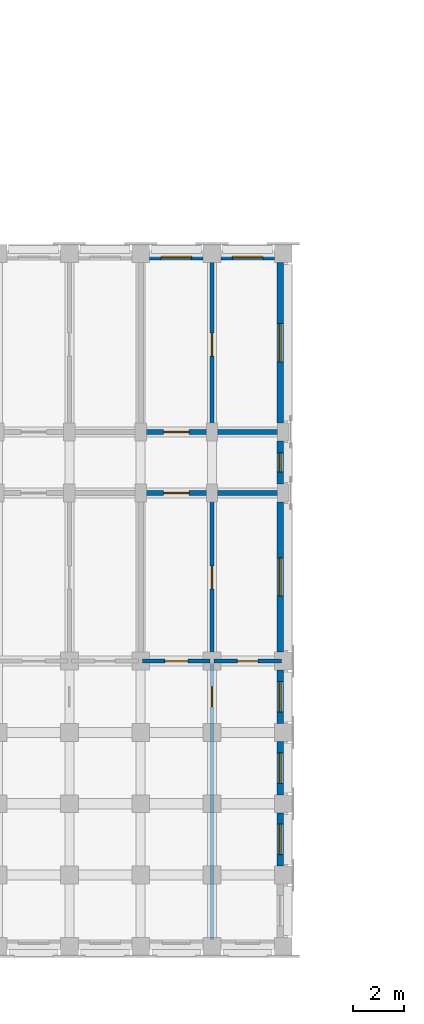
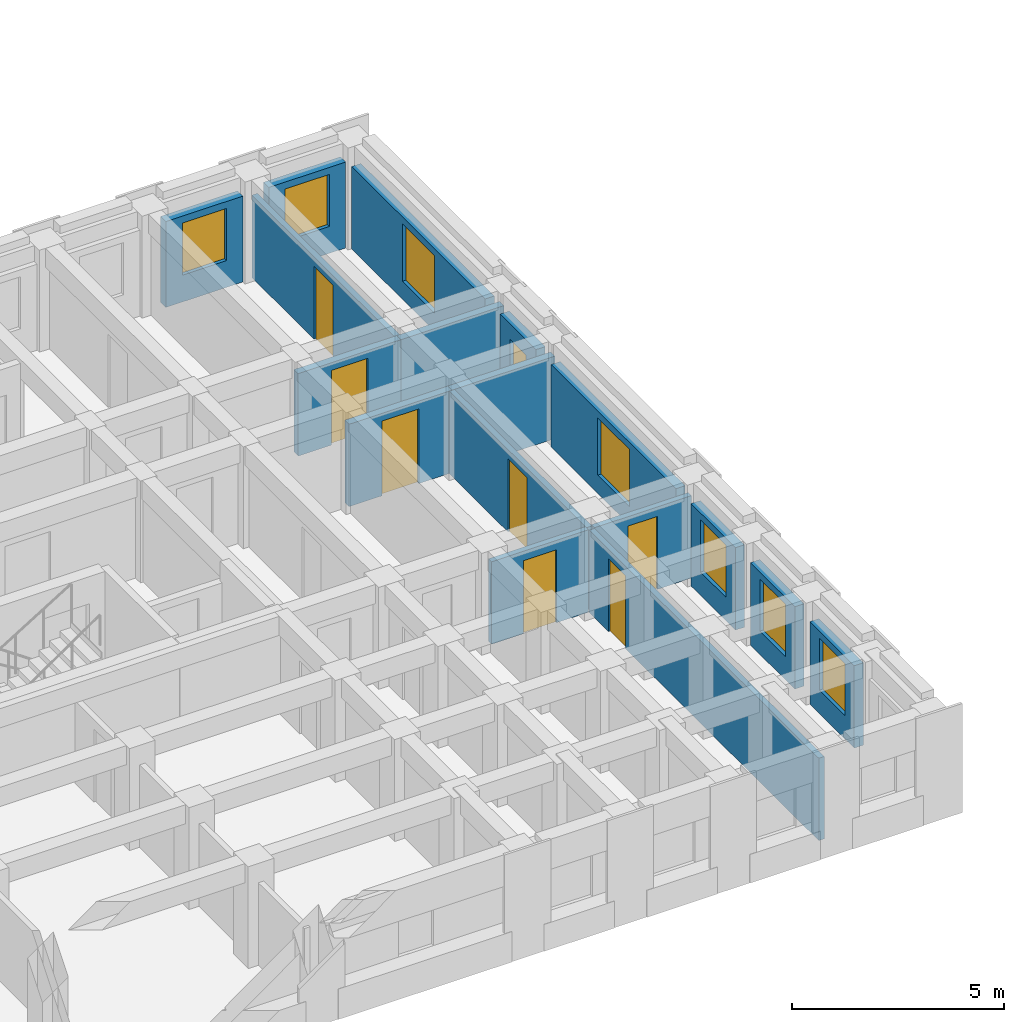
# One storey, part 22 of 57: 17 walls, 8 windows, 7 doors, 15 openings.
"""IFC4 building model written with IfcOpenShell, lengths in metres."""

from ifc_helpers import new_model, si_unit, direction, frame, frame_2d, origin, place, context, subcontext, project, spatial, rectangle, extrude, material, layer, layer_set, type_object, element, fill, save


model = new_model("IFC4")

# Units and contexts
model_context = context("Model", 3, precision=1e-05, world=origin(), true_north=direction((0.0, 1.0)))
body_context = subcontext(model_context, "Body", "Model", "MODEL_VIEW")
ifc_project = project(units=[si_unit("LENGTHUNIT", "METRE"), si_unit("AREAUNIT", "SQUARE_METRE"), si_unit("VOLUMEUNIT", "CUBIC_METRE"), si_unit("PLANEANGLEUNIT", "RADIAN"), si_unit("MASSUNIT", "GRAM", prefix="KILO")], contexts=[model_context])

# Site, building, storey
site_placement = place(None, origin())
site = spatial("IfcSite", under=ifc_project, at=site_placement, CompositionType="ELEMENT")
building_placement = place(site_placement, origin())
building = spatial("IfcBuilding", under=site, at=building_placement, Name="Kiranvali Square Residences", CompositionType="ELEMENT")
storey_placement = place(building_placement, frame((0.0, 0.0, 18.14990234375)))
storey = spatial("IfcBuildingStorey", under=building, at=storey_placement, Name="L05", CompositionType="ELEMENT", Elevation=18.14990234375)

# Wall, opening, door
ifc_material_1 = material(Name="Autoclaved aerated concrete blockwork masonry", Category="masonry")
ifc_layer_1 = layer(ifc_material_1, 0.199951171875)
ifc_layer_set_1 = layer_set([ifc_layer_1], Name="Autoclaved aerated concrete blockwork masonry")
wall_type_1 = type_object("IfcWallType", Name="WL-COR-200", PredefinedType="STANDARD", material=ifc_layer_set_1)
wall_1_placement = place(storey_placement, frame((65.0, 22.39990234375, 0.0), z_axis=(0.0, 0.0, 1.0), x_axis=(1.0, 0.0, 0.0)))
wall_1 = element("IfcWall", 1, at=wall_1_placement, inside=storey, type_object=wall_type_1, Name="L05 architectural wall WL-L05-C-A1CI-2", PredefinedType="STANDARD", context=body_context, shape_type="SweptSolid", body=[
    extrude(rectangle(XDim=2.800048828125, YDim=0.199951171875, at=frame_2d((1.39990234375, 0.0))), origin(), (0.0, 0.0, 1.0), 2.3720703125),
])
opening_1_placement = place(wall_1_placement, frame((0.89990234375, 0.0, 0.0)))
opening_1 = element("IfcOpeningElement", 2, at=opening_1_placement, cuts=wall_1, Name="Opening FD-APT-60", PredefinedType="OPENING", context=body_context, shape_type="SweptSolid", body=[
    extrude(rectangle(XDim=1.0, YDim=2.14990234375, at=frame_2d((0.5, 1.074951171875))), frame((0.0, 0.10986328125, 0.0), z_axis=(0.0, -1.0, 0.0), x_axis=(1.0, 0.0, 0.0)), (0.0, 0.0, 1.0), 0.219970703125),
])
ifc_material_2 = material(Name="Fire-rated acoustic hardwood and mineral-core door assembly", Category="wood")
door_type_1 = type_object("IfcDoorType", Name="DR-APT-1000", OperationType="NOTDEFINED", PredefinedType="DOOR", material=ifc_material_2)
door_1_placement = place(opening_1_placement, frame((1.0, 0.0, 0.0), z_axis=(0.0, 0.0, 1.0), x_axis=(-1.0, 0.0, 0.0)))
door_1 = element("IfcDoor", 3, at=door_1_placement, inside=storey, type_object=door_type_1, Name="L05 door DR-L05-2036 (DR-APT-1000)", OperationType="SINGLE_SWING_RIGHT", OverallHeight=2.14990234375, OverallWidth=1.0, PredefinedType="DOOR", context=body_context, shape_type="SweptSolid", body=[
    extrude(rectangle(XDim=1.0, YDim=2.14990234375, at=frame_2d((0.5, 1.074951171875))), frame((0.0, 0.02490234375, 0.0), z_axis=(0.0, -1.0, 0.0), x_axis=(1.0, 0.0, 0.0)), (0.0, 0.0, 1.0), 0.050048828125),
])
fill(opening_1, door_1)

wall_2_placement = place(storey_placement, frame((65.0, 20.0, 0.0), z_axis=(0.0, 0.0, 1.0), x_axis=(1.0, 0.0, 0.0)))
wall_2 = element("IfcWall", 4, at=wall_2_placement, inside=storey, type_object=wall_type_1, Name="L05 architectural wall WL-L05-C-A1CO-2", PredefinedType="STANDARD", context=body_context, shape_type="SweptSolid", body=[
    extrude(rectangle(XDim=2.800048828125, YDim=0.199951171875, at=frame_2d((1.39990234375, 0.0))), origin(), (0.0, 0.0, 1.0), 2.3720703125),
])
opening_2_placement = place(wall_2_placement, frame((0.89990234375, 0.0, 0.0)))
opening_2 = element("IfcOpeningElement", 5, at=opening_2_placement, cuts=wall_2, Name="Opening FD-APT-60", PredefinedType="OPENING", context=body_context, shape_type="SweptSolid", body=[
    extrude(rectangle(XDim=1.0, YDim=2.14990234375, at=frame_2d((0.5, 1.074951171875))), frame((0.0, 0.10986328125, 0.0), z_axis=(0.0, -1.0, 0.0), x_axis=(1.0, 0.0, 0.0)), (0.0, 0.0, 1.0), 0.219970703125),
])
door_2_placement = place(opening_2_placement, frame((1.0, 0.0, 0.0), z_axis=(0.0, 0.0, 1.0), x_axis=(-1.0, 0.0, 0.0)))
door_2 = element("IfcDoor", 6, at=door_2_placement, inside=storey, type_object=door_type_1, Name="L05 door DR-L05-2038 (DR-APT-1000)", OperationType="SINGLE_SWING_RIGHT", OverallHeight=2.14990234375, OverallWidth=1.0, PredefinedType="DOOR", context=body_context, shape_type="SweptSolid", body=[
    extrude(rectangle(XDim=1.0, YDim=2.14990234375, at=frame_2d((0.5, 1.074951171875))), frame((0.0, 0.02490234375, 0.0), z_axis=(0.0, -1.0, 0.0), x_axis=(1.0, 0.0, 0.0)), (0.0, 0.0, 1.0), 0.050048828125),
])
fill(opening_2, door_2)

# Walls
for number, where, z_axis, x_axis, name in (
    (7, (67.800048828125, 22.39990234375, 0.0), (0.0, 0.0, 1.0), (1.0, 0.0, 0.0), "L05 architectural wall WL-L05-C-A1CI-3"),
    (8, (67.800048828125, 20.0, 0.0), (0.0, 0.0, 1.0), (1.0, 0.0, 0.0), "L05 architectural wall WL-L05-C-A1CO-3"),
):
    element("IfcWall", number, at=place(storey_placement, frame(where, z_axis=z_axis, x_axis=x_axis)), inside=storey, type_object=wall_type_1, Name=name, PredefinedType="STANDARD", context=body_context, shape_type="SweptSolid", body=[
        extrude(rectangle(XDim=2.800048828125, YDim=0.199951171875, at=frame_2d((1.39990234375, 0.0))), origin(), (0.0, 0.0, 1.0), 2.3720703125),
    ])

# Wall, opening, window
ifc_material_3 = material(Name="Breathable lime-rendered clay brick masonry", Category="masonry")
ifc_layer_2 = layer(ifc_material_3, 0.25)
ifc_layer_set_2 = layer_set([ifc_layer_2], Name="Breathable lime-rendered clay brick masonry")
wall_type_2 = type_object("IfcWallType", Name="WL-EXT-250", PredefinedType="STANDARD", material=ifc_layer_set_2)
wall_3_placement = place(storey_placement, frame((65.353515625, 29.27490234375, 0.0), z_axis=(0.0, 0.0, 1.0), x_axis=(1.0, 0.0, 0.0)))
wall_3 = element("IfcWall", 9, at=wall_3_placement, inside=storey, type_object=wall_type_2, Name="L05 exterior wall C-L05-A1I-2", PredefinedType="STANDARD", context=body_context, shape_type="SweptSolid", body=[
    extrude(rectangle(XDim=2.093017578125, YDim=0.25, at=frame_2d((1.04638671875, 0.0))), origin(), (0.0, 0.0, 1.0), 2.47216796875),
])
opening_3_placement = place(wall_3_placement, frame((0.446533203125, 0.0, 0.77197265625)))
opening_3 = element("IfcOpeningElement", 10, at=opening_3_placement, cuts=wall_3, Name="Opening W-06", PredefinedType="OPENING", context=body_context, shape_type="SweptSolid", body=[
    extrude(rectangle(XDim=1.199951171875, YDim=1.5, at=frame_2d((0.60009765625, 0.75))), frame((0.0, 0.135009765625, 0.0), z_axis=(0.0, -1.0, 0.0), x_axis=(1.0, 0.0, 0.0)), (0.0, 0.0, 1.0), 0.27001953125),
])
ifc_material_4 = material(Name="Solar-control low-e double glazing", Category="glass")
window_type_1 = type_object("IfcWindowType", Name="WIN-RES-1200x1500", PartitioningType="SINGLE_PANEL", PredefinedType="WINDOW", material=ifc_material_4)
window_1_placement = place(opening_3_placement, origin())
window_1 = element("IfcWindow", 11, at=window_1_placement, inside=storey, type_object=window_type_1, Name="L05 recessed window C-L05-A1I-2", OverallHeight=1.5, OverallWidth=1.199951171875, PartitioningType="SINGLE_PANEL", PredefinedType="WINDOW", context=body_context, shape_type="SweptSolid", body=[
    extrude(rectangle(XDim=1.199951171875, YDim=1.5, at=frame_2d((0.60009765625, 0.75))), frame((0.0, 0.030029296875, 0.0), z_axis=(0.0, -1.0, 0.0), x_axis=(1.0, 0.0, 0.0)), (0.0, 0.0, 1.0), 0.06005859375),
])
fill(opening_3, window_1)

wall_4_placement = place(storey_placement, frame((68.153564453125, 29.27490234375, 0.0), z_axis=(0.0, 0.0, 1.0), x_axis=(1.0, 0.0, 0.0)))
wall_4 = element("IfcWall", 12, at=wall_4_placement, inside=storey, type_object=wall_type_2, Name="L05 exterior wall C-L05-A1I-3", PredefinedType="STANDARD", context=body_context, shape_type="SweptSolid", body=[
    extrude(rectangle(XDim=2.093017578125, YDim=0.25, at=frame_2d((1.04638671875, 0.0))), origin(), (0.0, 0.0, 1.0), 2.47216796875),
])
opening_4_placement = place(wall_4_placement, frame((0.446533203125, 0.0, 0.77197265625)))
opening_4 = element("IfcOpeningElement", 13, at=opening_4_placement, cuts=wall_4, Name="Opening W-06", PredefinedType="OPENING", context=body_context, shape_type="SweptSolid", body=[
    extrude(rectangle(XDim=1.199951171875, YDim=1.5, at=frame_2d((0.60009765625, 0.75))), frame((0.0, 0.135009765625, 0.0), z_axis=(0.0, -1.0, 0.0), x_axis=(1.0, 0.0, 0.0)), (0.0, 0.0, 1.0), 0.27001953125),
])
window_2_placement = place(opening_4_placement, origin())
window_2 = element("IfcWindow", 14, at=window_2_placement, inside=storey, type_object=window_type_1, Name="L05 recessed window C-L05-A1I-3", OverallHeight=1.5, OverallWidth=1.199951171875, PartitioningType="SINGLE_PANEL", PredefinedType="WINDOW", context=body_context, shape_type="SweptSolid", body=[
    extrude(rectangle(XDim=1.199951171875, YDim=1.5, at=frame_2d((0.60009765625, 0.75))), frame((0.0, 0.030029296875, 0.0), z_axis=(0.0, -1.0, 0.0), x_axis=(1.0, 0.0, 0.0)), (0.0, 0.0, 1.0), 0.06005859375),
])
fill(opening_4, window_2)

wall_5_placement = place(storey_placement, frame((70.47509765625, 29.04638671875, 0.0), z_axis=(0.0, 0.0, 1.0), x_axis=(0.0, -1.0, 0.0)))
wall_5 = element("IfcWall", 15, at=wall_5_placement, inside=storey, type_object=wall_type_2, Name="L05 exterior wall C-L05-A1END-0", PredefinedType="STANDARD", context=body_context, shape_type="SweptSolid", body=[
    extrude(rectangle(XDim=6.29296875, YDim=0.25, at=frame_2d((3.146484375, 0.0))), origin(), (0.0, 0.0, 1.0), 2.3720703125),
])
opening_5_placement = place(wall_5_placement, frame((2.396484375, 0.0, 0.52197265625)))
opening_5 = element("IfcOpeningElement", 16, at=opening_5_placement, cuts=wall_5, Name="Opening W-05", PredefinedType="OPENING", context=body_context, shape_type="SweptSolid", body=[
    extrude(rectangle(XDim=1.5, YDim=1.64990234375, at=frame_2d((0.75, 0.824951171875))), frame((0.0, 0.135009765625, 0.0), z_axis=(0.0, -1.0, 0.0), x_axis=(1.0, 0.0, 0.0)), (0.0, 0.0, 1.0), 0.27001953125),
])
window_type_2 = type_object("IfcWindowType", Name="WIN-RES-1500x1650", PartitioningType="DOUBLE_PANEL_VERTICAL", PredefinedType="WINDOW", material=ifc_material_4)
window_3_placement = place(opening_5_placement, origin())
window_3 = element("IfcWindow", 17, at=window_3_placement, inside=storey, type_object=window_type_2, Name="L05 recessed window C-L05-A1END-0", OverallHeight=1.64990234375, OverallWidth=1.5, PartitioningType="DOUBLE_PANEL_VERTICAL", PredefinedType="WINDOW", context=body_context, shape_type="SweptSolid", body=[
    extrude(rectangle(XDim=1.5, YDim=1.64990234375, at=frame_2d((0.75, 0.824951171875))), frame((0.0, 0.030029296875, 0.0), z_axis=(0.0, -1.0, 0.0), x_axis=(1.0, 0.0, 0.0)), (0.0, 0.0, 1.0), 0.06005859375),
])
fill(opening_5, window_3)

wall_6_placement = place(storey_placement, frame((70.47509765625, 22.04638671875, 0.0), z_axis=(0.0, 0.0, 1.0), x_axis=(0.0, -1.0, 0.0)))
wall_6 = element("IfcWall", 18, at=wall_6_placement, inside=storey, type_object=wall_type_2, Name="L05 exterior wall C-L05-A1END-1", PredefinedType="STANDARD", context=body_context, shape_type="SweptSolid", body=[
    extrude(rectangle(XDim=1.69287109375, YDim=0.25, at=frame_2d((0.846435546875, 0.0))), origin(), (0.0, 0.0, 1.0), 2.3720703125),
])
opening_6_placement = place(wall_6_placement, frame((0.471435546875, 0.0, 0.8798828125)))
opening_6 = element("IfcOpeningElement", 19, at=opening_6_placement, cuts=wall_6, Name="Opening W-07", PredefinedType="OPENING", context=body_context, shape_type="SweptSolid", body=[
    extrude(rectangle(XDim=0.75, YDim=1.050048828125, at=frame_2d((0.375, 0.52490234375))), frame((0.0, 0.135009765625, 0.0), z_axis=(0.0, -1.0, 0.0), x_axis=(1.0, 0.0, 0.0)), (0.0, 0.0, 1.0), 0.27001953125),
])
window_type_3 = type_object("IfcWindowType", Name="WIN-WET-750x1050", PartitioningType="SINGLE_PANEL", PredefinedType="WINDOW", material=ifc_material_4)
window_4_placement = place(opening_6_placement, origin())
window_4 = element("IfcWindow", 20, at=window_4_placement, inside=storey, type_object=window_type_3, Name="L05 recessed window C-L05-A1END-1", OverallHeight=1.050048828125, OverallWidth=0.75, PartitioningType="SINGLE_PANEL", PredefinedType="WINDOW", context=body_context, shape_type="SweptSolid", body=[
    extrude(rectangle(XDim=0.75, YDim=1.050048828125, at=frame_2d((0.375, 0.52490234375))), frame((0.0, 0.030029296875, 0.0), z_axis=(0.0, -1.0, 0.0), x_axis=(1.0, 0.0, 0.0)), (0.0, 0.0, 1.0), 0.06005859375),
])
fill(opening_6, window_4)

wall_7_placement = place(storey_placement, frame((70.47509765625, 19.646484375, 0.0), z_axis=(0.0, 0.0, 1.0), x_axis=(0.0, -1.0, 0.0)))
wall_7 = element("IfcWall", 21, at=wall_7_placement, inside=storey, type_object=wall_type_2, Name="L05 exterior wall C-L05-A1END-2", PredefinedType="STANDARD", context=body_context, shape_type="SweptSolid", body=[
    extrude(rectangle(XDim=5.89306640625, YDim=0.25, at=frame_2d((2.946533203125, 0.0))), origin(), (0.0, 0.0, 1.0), 2.3720703125),
])
opening_7_placement = place(wall_7_placement, frame((2.196533203125, 0.0, 0.52197265625)))
opening_7 = element("IfcOpeningElement", 22, at=opening_7_placement, cuts=wall_7, Name="Opening W-05", PredefinedType="OPENING", context=body_context, shape_type="SweptSolid", body=[
    extrude(rectangle(XDim=1.5, YDim=1.64990234375, at=frame_2d((0.75, 0.824951171875))), frame((0.0, 0.135009765625, 0.0), z_axis=(0.0, -1.0, 0.0), x_axis=(1.0, 0.0, 0.0)), (0.0, 0.0, 1.0), 0.27001953125),
])
window_5_placement = place(opening_7_placement, origin())
window_5 = element("IfcWindow", 23, at=window_5_placement, inside=storey, type_object=window_type_2, Name="L05 recessed window C-L05-A1END-2", OverallHeight=1.64990234375, OverallWidth=1.5, PartitioningType="DOUBLE_PANEL_VERTICAL", PredefinedType="WINDOW", context=body_context, shape_type="SweptSolid", body=[
    extrude(rectangle(XDim=1.5, YDim=1.64990234375, at=frame_2d((0.75, 0.824951171875))), frame((0.0, 0.030029296875, 0.0), z_axis=(0.0, -1.0, 0.0), x_axis=(1.0, 0.0, 0.0)), (0.0, 0.0, 1.0), 0.06005859375),
])
fill(opening_7, window_5)

wall_8_placement = place(storey_placement, frame((70.47509765625, 13.04638671875, 0.0), z_axis=(0.0, 0.0, 1.0), x_axis=(0.0, -1.0, 0.0)))
wall_8 = element("IfcWall", 24, at=wall_8_placement, inside=storey, type_object=wall_type_2, Name="L05 exterior wall C-L05-A1END-3", PredefinedType="STANDARD", context=body_context, shape_type="SweptSolid", body=[
    extrude(rectangle(XDim=2.0927734375, YDim=0.25, at=frame_2d((1.04638671875, 0.0))), origin(), (0.0, 0.0, 1.0), 2.3720703125),
])
opening_8_placement = place(wall_8_placement, frame((0.446533203125, 0.0, 0.672119140625)))
opening_8 = element("IfcOpeningElement", 25, at=opening_8_placement, cuts=wall_8, Name="Opening W-06", PredefinedType="OPENING", context=body_context, shape_type="SweptSolid", body=[
    extrude(rectangle(XDim=1.199951171875, YDim=1.5, at=frame_2d((0.60009765625, 0.75))), frame((0.0, 0.135009765625, 0.0), z_axis=(0.0, -1.0, 0.0), x_axis=(1.0, 0.0, 0.0)), (0.0, 0.0, 1.0), 0.27001953125),
])
window_6_placement = place(opening_8_placement, origin())
window_6 = element("IfcWindow", 26, at=window_6_placement, inside=storey, type_object=window_type_1, Name="L05 recessed window C-L05-A1END-3", OverallHeight=1.5, OverallWidth=1.199951171875, PartitioningType="SINGLE_PANEL", PredefinedType="WINDOW", context=body_context, shape_type="SweptSolid", body=[
    extrude(rectangle(XDim=1.199951171875, YDim=1.5, at=frame_2d((0.60009765625, 0.75))), frame((0.0, 0.030029296875, 0.0), z_axis=(0.0, -1.0, 0.0), x_axis=(1.0, 0.0, 0.0)), (0.0, 0.0, 1.0), 0.06005859375),
])
fill(opening_8, window_6)

wall_9_placement = place(storey_placement, frame((70.47509765625, 10.24658203125, 0.0), z_axis=(0.0, 0.0, 1.0), x_axis=(0.0, -1.0, 0.0)))
wall_9 = element("IfcWall", 27, at=wall_9_placement, inside=storey, type_object=wall_type_2, Name="L05 exterior wall C-L05-A1END-4", PredefinedType="STANDARD", context=body_context, shape_type="SweptSolid", body=[
    extrude(rectangle(XDim=2.093017578125, YDim=0.25, at=frame_2d((1.04638671875, 0.0))), origin(), (0.0, 0.0, 1.0), 2.3720703125),
])
opening_9_placement = place(wall_9_placement, frame((0.446533203125, 0.0, 0.672119140625)))
opening_9 = element("IfcOpeningElement", 28, at=opening_9_placement, cuts=wall_9, Name="Opening W-06", PredefinedType="OPENING", context=body_context, shape_type="SweptSolid", body=[
    extrude(rectangle(XDim=1.199951171875, YDim=1.5, at=frame_2d((0.60009765625, 0.75))), frame((0.0, 0.135009765625, 0.0), z_axis=(0.0, -1.0, 0.0), x_axis=(1.0, 0.0, 0.0)), (0.0, 0.0, 1.0), 0.27001953125),
])
window_7_placement = place(opening_9_placement, origin())
window_7 = element("IfcWindow", 29, at=window_7_placement, inside=storey, type_object=window_type_1, Name="L05 recessed window C-L05-A1END-4", OverallHeight=1.5, OverallWidth=1.199951171875, PartitioningType="SINGLE_PANEL", PredefinedType="WINDOW", context=body_context, shape_type="SweptSolid", body=[
    extrude(rectangle(XDim=1.199951171875, YDim=1.5, at=frame_2d((0.60009765625, 0.75))), frame((0.0, 0.030029296875, 0.0), z_axis=(0.0, -1.0, 0.0), x_axis=(1.0, 0.0, 0.0)), (0.0, 0.0, 1.0), 0.06005859375),
])
fill(opening_9, window_7)

wall_10_placement = place(storey_placement, frame((70.47509765625, 7.446533203125, 0.0), z_axis=(0.0, 0.0, 1.0), x_axis=(0.0, -1.0, 0.0)))
wall_10 = element("IfcWall", 30, at=wall_10_placement, inside=storey, type_object=wall_type_2, Name="L05 exterior wall C-L05-A1END-5", PredefinedType="STANDARD", context=body_context, shape_type="SweptSolid", body=[
    extrude(rectangle(XDim=2.093017578125, YDim=0.25, at=frame_2d((1.04638671875, 0.0))), origin(), (0.0, 0.0, 1.0), 2.3720703125),
])
opening_10_placement = place(wall_10_placement, frame((0.446533203125, 0.0, 0.672119140625)))
opening_10 = element("IfcOpeningElement", 31, at=opening_10_placement, cuts=wall_10, Name="Opening W-06", PredefinedType="OPENING", context=body_context, shape_type="SweptSolid", body=[
    extrude(rectangle(XDim=1.199951171875, YDim=1.5, at=frame_2d((0.60009765625, 0.75))), frame((0.0, 0.135009765625, 0.0), z_axis=(0.0, -1.0, 0.0), x_axis=(1.0, 0.0, 0.0)), (0.0, 0.0, 1.0), 0.27001953125),
])
window_8_placement = place(opening_10_placement, origin())
window_8 = element("IfcWindow", 32, at=window_8_placement, inside=storey, type_object=window_type_1, Name="L05 recessed window C-L05-A1END-5", OverallHeight=1.5, OverallWidth=1.199951171875, PartitioningType="SINGLE_PANEL", PredefinedType="WINDOW", context=body_context, shape_type="SweptSolid", body=[
    extrude(rectangle(XDim=1.199951171875, YDim=1.5, at=frame_2d((0.60009765625, 0.75))), frame((0.0, 0.030029296875, 0.0), z_axis=(0.0, -1.0, 0.0), x_axis=(1.0, 0.0, 0.0)), (0.0, 0.0, 1.0), 0.06005859375),
])
fill(opening_10, window_8)

# Wall, opening, door
ifc_material_5 = material(Name="Acoustic gypsum board drylined partition", Category="gypsum")
ifc_layer_3 = layer(ifc_material_5, 0.14990234375)
ifc_layer_set_3 = layer_set([ifc_layer_3], Name="Acoustic gypsum board drylined partition")
wall_type_3 = type_object("IfcWallType", Name="WL-PRT-150", PredefinedType="PARTITIONING", material=ifc_layer_set_3)
wall_11_placement = place(storey_placement, frame((67.800048828125, 29.199951171875, 0.0), z_axis=(0.0, 0.0, 1.0), x_axis=(0.0, -1.0, 0.0)))
wall_11 = element("IfcWall", 33, at=wall_11_placement, inside=storey, type_object=wall_type_3, Name="L05 architectural wall WL-L05-C-A1TI-3", PredefinedType="PARTITIONING", context=body_context, shape_type="SweptSolid", body=[
    extrude(rectangle(XDim=6.75, YDim=0.14990234375, at=frame_2d((3.375, 0.0))), origin(), (0.0, 0.0, 1.0), 2.3720703125),
])
opening_11_placement = place(wall_11_placement, frame((2.925048828125, 0.0, 0.0)))
opening_11 = element("IfcOpeningElement", 34, at=opening_11_placement, cuts=wall_11, Name="Opening ID-1", PredefinedType="OPENING", context=body_context, shape_type="SweptSolid", body=[
    extrude(rectangle(XDim=0.89990234375, YDim=2.10009765625, at=frame_2d((0.449951171875, 1.050048828125))), frame((0.0, 0.0849609375, 0.0), z_axis=(0.0, -1.0, 0.0), x_axis=(1.0, 0.0, 0.0)), (0.0, 0.0, 1.0), 0.169921875),
])
ifc_material_6 = material(Name="Solid seasoned teak hardwood joinery", Category="wood")
door_type_2 = type_object("IfcDoorType", Name="DR-INT-900", OperationType="NOTDEFINED", PredefinedType="DOOR", material=ifc_material_6)
door_3_placement = place(opening_11_placement, frame((0.89990234375, 0.0, 0.0), z_axis=(0.0, 0.0, 1.0), x_axis=(-1.0, 0.0, 0.0)))
door_3 = element("IfcDoor", 35, at=door_3_placement, inside=storey, type_object=door_type_2, Name="L05 door DR-L05-2044 (DR-INT-900)", OperationType="SINGLE_SWING_RIGHT", OverallHeight=2.10009765625, OverallWidth=0.89990234375, PredefinedType="DOOR", context=body_context, shape_type="SweptSolid", body=[
    extrude(rectangle(XDim=0.89990234375, YDim=2.10009765625, at=frame_2d((0.449951171875, 1.050048828125))), frame((0.0, 0.02490234375, 0.0), z_axis=(0.0, -1.0, 0.0), x_axis=(1.0, 0.0, 0.0)), (0.0, 0.0, 1.0), 0.050048828125),
])
fill(opening_11, door_3)

wall_12_placement = place(storey_placement, frame((67.800048828125, 19.949951171875, 0.0), z_axis=(0.0, 0.0, 1.0), x_axis=(0.0, -1.0, 0.0)))
wall_12 = element("IfcWall", 36, at=wall_12_placement, inside=storey, type_object=wall_type_3, Name="L05 architectural wall WL-L05-C-A1TO1-3", PredefinedType="PARTITIONING", context=body_context, shape_type="SweptSolid", body=[
    extrude(rectangle(XDim=6.530029296875, YDim=0.14990234375, at=frame_2d((3.26513671875, 0.0))), origin(), (0.0, 0.0, 1.0), 2.3720703125),
])
opening_12_placement = place(wall_12_placement, frame((2.81494140625, 0.0, 0.0)))
opening_12 = element("IfcOpeningElement", 37, at=opening_12_placement, cuts=wall_12, Name="Opening ID-1", PredefinedType="OPENING", context=body_context, shape_type="SweptSolid", body=[
    extrude(rectangle(XDim=0.89990234375, YDim=2.10009765625, at=frame_2d((0.449951171875, 1.050048828125))), frame((0.0, 0.0849609375, 0.0), z_axis=(0.0, -1.0, 0.0), x_axis=(1.0, 0.0, 0.0)), (0.0, 0.0, 1.0), 0.169921875),
])
door_4_placement = place(opening_12_placement, origin())
door_4 = element("IfcDoor", 38, at=door_4_placement, inside=storey, type_object=door_type_2, Name="L05 door DR-L05-2045 (DR-INT-900)", OperationType="SINGLE_SWING_LEFT", OverallHeight=2.10009765625, OverallWidth=0.89990234375, PredefinedType="DOOR", context=body_context, shape_type="SweptSolid", body=[
    extrude(rectangle(XDim=0.89990234375, YDim=2.10009765625, at=frame_2d((0.449951171875, 1.050048828125))), frame((0.0, 0.02490234375, 0.0), z_axis=(0.0, -1.0, 0.0), x_axis=(1.0, 0.0, 0.0)), (0.0, 0.0, 1.0), 0.050048828125),
])
fill(opening_12, door_4)

wall_13_placement = place(storey_placement, frame((67.800048828125, 13.300048828125, 0.0), z_axis=(0.0, 0.0, 1.0), x_axis=(0.0, -1.0, 0.0)))
wall_13 = element("IfcWall", 39, at=wall_13_placement, inside=storey, type_object=wall_type_3, Name="L05 architectural wall WL-L05-C-A1TO2-3", PredefinedType="PARTITIONING", context=body_context, shape_type="SweptSolid", body=[
    extrude(rectangle(XDim=10.820068359375, YDim=0.14990234375, at=frame_2d((5.41015625, 0.0))), origin(), (0.0, 0.0, 1.0), 2.3720703125),
])
opening_13_placement = place(wall_13_placement, frame((0.8994140625, 0.0, 0.0)))
opening_13 = element("IfcOpeningElement", 40, at=opening_13_placement, cuts=wall_13, Name="Opening ID-WET", PredefinedType="OPENING", context=body_context, shape_type="SweptSolid", body=[
    extrude(rectangle(XDim=0.800048828125, YDim=2.10009765625, at=frame_2d((0.39990234375, 1.050048828125))), frame((0.0, 0.0849609375, 0.0), z_axis=(0.0, -1.0, 0.0), x_axis=(1.0, 0.0, 0.0)), (0.0, 0.0, 1.0), 0.169921875),
])
door_type_3 = type_object("IfcDoorType", Name="DR-WET-800", OperationType="NOTDEFINED", PredefinedType="DOOR", material=ifc_material_6)
door_5_placement = place(opening_13_placement, frame((0.800048828125, 0.0, 0.0), z_axis=(0.0, 0.0, 1.0), x_axis=(-1.0, 0.0, 0.0)))
door_5 = element("IfcDoor", 41, at=door_5_placement, inside=storey, type_object=door_type_3, Name="L05 door DR-L05-2046 (DR-WET-800)", OperationType="SINGLE_SWING_RIGHT", OverallHeight=2.10009765625, OverallWidth=0.800048828125, PredefinedType="DOOR", context=body_context, shape_type="SweptSolid", body=[
    extrude(rectangle(XDim=0.800048828125, YDim=2.10009765625, at=frame_2d((0.39990234375, 1.050048828125))), frame((0.0, 0.02490234375, 0.0), z_axis=(0.0, -1.0, 0.0), x_axis=(1.0, 0.0, 0.0)), (0.0, 0.0, 1.0), 0.050048828125),
])
fill(opening_13, door_5)

ifc_layer_4 = layer(ifc_material_1, 0.14990234375)
ifc_layer_set_4 = layer_set([ifc_layer_4], Name="Autoclaved aerated concrete blockwork masonry")
wall_type_4 = type_object("IfcWallType", Name="WL-WET-150", PredefinedType="PLUMBINGWALL", material=ifc_layer_set_4)
wall_14_placement = place(storey_placement, frame((65.080078125, 13.39990234375, 0.0), z_axis=(0.0, 0.0, 1.0), x_axis=(1.0, 0.0, 0.0)))
wall_14 = element("IfcWall", 42, at=wall_14_placement, inside=storey, type_object=wall_type_4, Name="L05 architectural wall WL-L05-C-A1SP-2", PredefinedType="PLUMBINGWALL", context=body_context, shape_type="SweptSolid", body=[
    extrude(rectangle(XDim=2.639892578125, YDim=0.14990234375, at=frame_2d((1.31982421875, 0.0))), origin(), (0.0, 0.0, 1.0), 2.3720703125),
])
opening_14_placement = place(wall_14_placement, frame((0.8701171875, 0.0, 0.0)))
opening_14 = element("IfcOpeningElement", 43, at=opening_14_placement, cuts=wall_14, Name="Opening ID-1", PredefinedType="OPENING", context=body_context, shape_type="SweptSolid", body=[
    extrude(rectangle(XDim=0.89990234375, YDim=2.10009765625, at=frame_2d((0.449951171875, 1.050048828125))), frame((0.0, 0.0849609375, 0.0), z_axis=(0.0, -1.0, 0.0), x_axis=(1.0, 0.0, 0.0)), (0.0, 0.0, 1.0), 0.169921875),
])
door_6_placement = place(opening_14_placement, origin())
door_6 = element("IfcDoor", 44, at=door_6_placement, inside=storey, type_object=door_type_2, Name="L05 door DR-L05-2037 (DR-INT-900)", OperationType="SINGLE_SWING_LEFT", OverallHeight=2.10009765625, OverallWidth=0.89990234375, PredefinedType="DOOR", context=body_context, shape_type="SweptSolid", body=[
    extrude(rectangle(XDim=0.89990234375, YDim=2.10009765625, at=frame_2d((0.449951171875, 1.050048828125))), frame((0.0, 0.02490234375, 0.0), z_axis=(0.0, -1.0, 0.0), x_axis=(1.0, 0.0, 0.0)), (0.0, 0.0, 1.0), 0.050048828125),
])
fill(opening_14, door_6)

wall_15_placement = place(storey_placement, frame((67.8798828125, 13.39990234375, 0.0), z_axis=(0.0, 0.0, 1.0), x_axis=(1.0, 0.0, 0.0)))
wall_15 = element("IfcWall", 45, at=wall_15_placement, inside=storey, type_object=wall_type_4, Name="L05 architectural wall WL-L05-C-A1SP-3", PredefinedType="PLUMBINGWALL", context=body_context, shape_type="SweptSolid", body=[
    extrude(rectangle(XDim=2.64013671875, YDim=0.14990234375, at=frame_2d((1.320068359375, 0.0))), origin(), (0.0, 0.0, 1.0), 2.3720703125),
])
opening_15_placement = place(wall_15_placement, frame((0.919921875, 0.0, 0.0)))
opening_15 = element("IfcOpeningElement", 46, at=opening_15_placement, cuts=wall_15, Name="Opening ID-WET", PredefinedType="OPENING", context=body_context, shape_type="SweptSolid", body=[
    extrude(rectangle(XDim=0.800048828125, YDim=2.10009765625, at=frame_2d((0.39990234375, 1.050048828125))), frame((0.0, 0.0849609375, 0.0), z_axis=(0.0, -1.0, 0.0), x_axis=(1.0, 0.0, 0.0)), (0.0, 0.0, 1.0), 0.169921875),
])
door_7_placement = place(opening_15_placement, origin())
door_7 = element("IfcDoor", 47, at=door_7_placement, inside=storey, type_object=door_type_3, Name="L05 door DR-L05-2039 (DR-WET-800)", OperationType="SINGLE_SWING_LEFT", OverallHeight=2.10009765625, OverallWidth=0.800048828125, PredefinedType="DOOR", context=body_context, shape_type="SweptSolid", body=[
    extrude(rectangle(XDim=0.800048828125, YDim=2.10009765625, at=frame_2d((0.39990234375, 1.050048828125))), frame((0.0, 0.02490234375, 0.0), z_axis=(0.0, -1.0, 0.0), x_axis=(1.0, 0.0, 0.0)), (0.0, 0.0, 1.0), 0.050048828125),
])
fill(opening_15, door_7)

save(model, "model.ifc")
